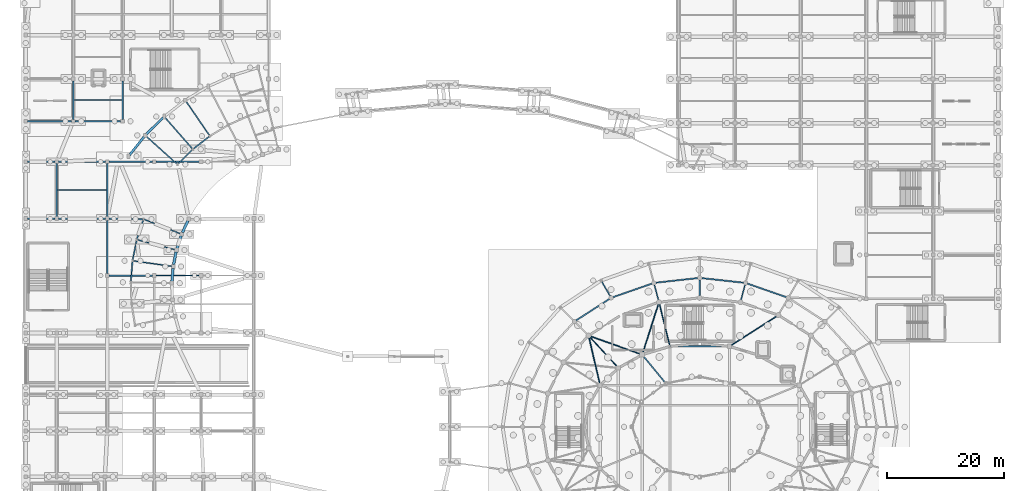
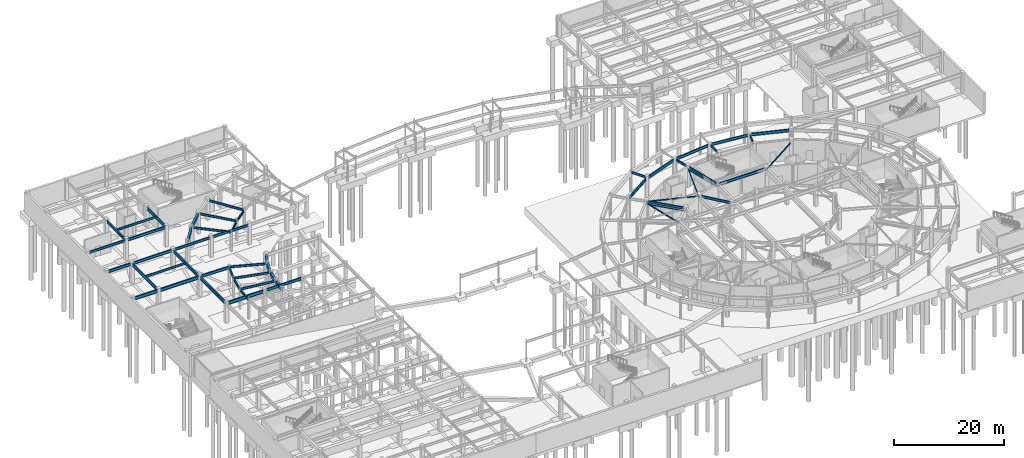
# One storey, part 30 of 68: 48 beams, 6 members.
"""IFC4 building model written with IfcOpenShell, lengths in metres."""

from ifc_helpers import new_model, si_unit, direction, frame, origin, origin_2d, place, context, subcontext, project, spatial, rectangle, hollow_rectangle, i_section, extrude, material, material_profile, profile_set, type_object, element, save


model = new_model("IFC4")

# Units and contexts
model_context = context("Model", 3, precision=1e-05, world=origin(), true_north=direction((0.0, 1.0)))
body_context = subcontext(model_context, "Body", "Model", "MODEL_VIEW")
ifc_project = project(units=[si_unit("LENGTHUNIT", "METRE"), si_unit("AREAUNIT", "SQUARE_METRE"), si_unit("VOLUMEUNIT", "CUBIC_METRE"), si_unit("PLANEANGLEUNIT", "RADIAN"), si_unit("MASSUNIT", "GRAM", prefix="KILO")], contexts=[model_context])

# Site, building, storey
site_placement = place(None, origin())
site = spatial("IfcSite", under=ifc_project, at=site_placement, CompositionType="ELEMENT")
building_placement = place(site_placement, origin())
building = spatial("IfcBuilding", under=site, at=building_placement, Name="Cinderbank Siding Concert Hall", CompositionType="ELEMENT")
storey_placement = place(building_placement, frame((0.0, 0.0, -4.800048828125)))
storey = spatial("IfcBuildingStorey", under=building, at=storey_placement, Name="B1", CompositionType="ELEMENT", Elevation=-4.800048828125)

# Beams
ifc_material_1 = material(Name="Reinforced concrete AS 3600 N50 (50 MPa)", Category="concrete")
ifc_material_profile_1 = material_profile(ifc_material_1, rectangle(XDim=0.39990234375, YDim=0.64990234375, at=origin_2d()), Name="RC-BM-400x650", Category="LoadBearing")
ifc_profile_set_1 = profile_set([ifc_material_profile_1], Name="Reinforced concrete AS 3600 N50 (50 MPa)")
beam_type_1 = type_object("IfcBeamType", Name="BM-RC650 RC-BM-400x650", PredefinedType="BEAM", material=ifc_profile_set_1)
beam_1_placement = place(storey_placement, frame((30.5517578125, 96.740234375, 4.156982421875), z_axis=(-0.712038390518, -0.702140534671, 0.0), x_axis=(0.702140534671, -0.712038390518, 0.0)))
element("IfcBeam", 1, at=beam_1_placement, inside=storey, type_object=beam_type_1, Name="B1 Beam BM-RC650 #875", PredefinedType="BEAM", context=body_context, shape_type="SweptSolid", body=[
    extrude(rectangle(XDim=0.39990234375, YDim=0.64990234375, at=origin_2d()), origin(), (0.0, 0.0, 1.0), 4.0205078125),
])
beam_2_placement = place(storey_placement, frame((27.265380859375, 93.447021484375, 4.156982421875), z_axis=(-0.623850508512, -0.781543692336, 0.0), x_axis=(0.781543692336, -0.623850508512, 0.0)))
element("IfcBeam", 2, at=beam_2_placement, inside=storey, type_object=beam_type_1, Name="B1 Beam BM-RC650 #877", PredefinedType="BEAM", context=body_context, shape_type="SweptSolid", body=[
    extrude(rectangle(XDim=0.39990234375, YDim=0.64990234375, at=origin_2d()), origin(), (0.0, 0.0, 1.0), 4.020751953125),
])
ifc_material_profile_2 = material_profile(ifc_material_1, rectangle(XDim=0.449951171875, YDim=0.75, at=origin_2d()), Name="RC-BM-450x750", Category="LoadBearing")
ifc_profile_set_2 = profile_set([ifc_material_profile_2], Name="Reinforced concrete AS 3600 N50 (50 MPa)")
beam_type_2 = type_object("IfcBeamType", Name="BM-RC750 RC-BM-450x750", PredefinedType="BEAM", material=ifc_profile_set_2)
for number, where, z_axis, x_axis, name in (
    (3, (34.75439453125, 79.127685546875, 4.10693359375), (-0.422595503754, -0.906318398912, 0.0), (0.906318398912, -0.422595503754, 0.0), "B1 Beam BM-RC750 #878"),
    (4, (33.58642578125, 76.533935546875, 4.10693359375), (-0.312352446311, -0.949966288498, 0.0), (0.949966288498, -0.312352446311, 0.0), "B1 Beam BM-RC750 #880"),
):
    element("IfcBeam", number, at=place(storey_placement, frame(where, z_axis=z_axis, x_axis=x_axis)), inside=storey, type_object=beam_type_2, Name=name, PredefinedType="BEAM", context=body_context, shape_type="SweptSolid", body=[
        extrude(rectangle(XDim=0.449951171875, YDim=0.75, at=origin_2d()), origin(), (0.0, 0.0, 1.0), 2.212646484375),
    ])
beam_3_placement = place(storey_placement, frame((32.7333984375, 73.820068359375, 4.10693359375), z_axis=(-0.197495096869, -0.98030387468, 0.0), x_axis=(0.98030387468, -0.197495096869, 0.0)))
element("IfcBeam", 5, at=beam_3_placement, inside=storey, type_object=beam_type_2, Name="B1 Beam BM-RC750 #883", PredefinedType="BEAM", context=body_context, shape_type="SweptSolid", body=[
    extrude(rectangle(XDim=0.449951171875, YDim=0.75, at=origin_2d()), origin(), (0.0, 0.0, 1.0), 2.212890625),
])
beam_4_placement = place(storey_placement, frame((32.208251953125, 71.024169921875, 4.10693359375), z_axis=(-0.080214449462, -0.996777629212, 0.0), x_axis=(0.996777629212, -0.080214449462, 0.0)))
element("IfcBeam", 6, at=beam_4_placement, inside=storey, type_object=beam_type_2, Name="B1 Beam BM-RC750 #886", PredefinedType="BEAM", context=body_context, shape_type="SweptSolid", body=[
    extrude(rectangle(XDim=0.449951171875, YDim=0.75, at=origin_2d()), origin(), (0.0, 0.0, 1.0), 2.212646484375),
])
ifc_material_2 = material(Name="Structural steel AS/NZS 3679.1 Grade 350 (340 MPa)", Category="steel")
ifc_material_profile_3 = material_profile(ifc_material_2, i_section(OverallWidth=0.18994140625, OverallDepth=0.45751953125, WebThickness=0.009033203125, FlangeThickness=0.014404296875, at=origin_2d()), Name="460UB74.6", Category="LoadBearing")
ifc_profile_set_3 = profile_set([ifc_material_profile_3], Name="Structural steel AS/NZS 3679.1 Grade 350 (340 MPa)")
beam_type_3 = type_object("IfcBeamType", Name="BM-UB460 460UB74.6", PredefinedType="BEAM", material=ifc_profile_set_3)
beam_5_placement = place(storey_placement, frame((38.40380859375, 93.698486328125, 4.25341796875), z_axis=(-0.564955120816, 0.825121634345, 0.0), x_axis=(-0.825121634345, -0.564955120816, 0.0)))
element("IfcBeam", 7, at=beam_5_placement, inside=storey, type_object=beam_type_3, Name="B1 Beam BM-UB460 #870", PredefinedType="BEAM", context=body_context, shape_type="SweptSolid", body=[
    extrude(i_section(OverallWidth=0.18994140625, OverallDepth=0.45751953125, WebThickness=0.009033203125, FlangeThickness=0.014404296875, at=origin_2d()), origin(), (0.0, 0.0, 1.0), 6.9375),
])
beam_6_placement = place(storey_placement, frame((35.4833984375, 91.435791015625, 4.25341796875), z_axis=(-0.65868883968, 0.752415452048, 0.0), x_axis=(-0.752415452048, -0.65868883968, 0.0)))
element("IfcBeam", 8, at=beam_6_placement, inside=storey, type_object=beam_type_3, Name="B1 Beam BM-UB460 #873", PredefinedType="BEAM", context=body_context, shape_type="SweptSolid", body=[
    extrude(i_section(OverallWidth=0.18994140625, OverallDepth=0.45751953125, WebThickness=0.009033203125, FlangeThickness=0.014404296875, at=origin_2d()), origin(), (0.0, 0.0, 1.0), 7.03564453125),
])
beam_7_placement = place(storey_placement, frame((32.8544921875, 88.84033203125, 4.25341796875), z_axis=(-0.743157645218, 0.66911636832, 0.0), x_axis=(-0.66911636832, -0.743157645218, 0.0)))
element("IfcBeam", 9, at=beam_7_placement, inside=storey, type_object=beam_type_3, Name="B1 Beam BM-UB460 #876", PredefinedType="BEAM", context=body_context, shape_type="SweptSolid", body=[
    extrude(i_section(OverallWidth=0.18994140625, OverallDepth=0.45751953125, WebThickness=0.009033203125, FlangeThickness=0.014404296875, at=origin_2d()), origin(), (0.0, 0.0, 1.0), 6.937744140625),
])
beam_8_placement = place(storey_placement, frame((33.390625, 76.95166015625, 4.25341796875), z_axis=(-0.929771987025, 0.368135915313, 0.0), x_axis=(-0.368135915313, -0.929771987025, 0.0)))
element("IfcBeam", 10, at=beam_8_placement, inside=storey, type_object=beam_type_3, Name="B1 Beam BM-UB460 #879", PredefinedType="BEAM", context=body_context, shape_type="SweptSolid", body=[
    extrude(i_section(OverallWidth=0.18994140625, OverallDepth=0.45751953125, WebThickness=0.009033203125, FlangeThickness=0.014404296875, at=origin_2d()), origin(), (0.0, 0.0, 1.0), 6.53564453125),
])
beam_9_placement = place(storey_placement, frame((32.48974609375, 74.211669921875, 4.25341796875), z_axis=(-0.966824945922, 0.255439863653, 0.0), x_axis=(-0.255439863653, -0.966824945922, 0.0)))
element("IfcBeam", 11, at=beam_9_placement, inside=storey, type_object=beam_type_3, Name="B1 Beam BM-UB460 #882", PredefinedType="BEAM", context=body_context, shape_type="SweptSolid", body=[
    extrude(i_section(OverallWidth=0.18994140625, OverallDepth=0.45751953125, WebThickness=0.009033203125, FlangeThickness=0.014404296875, at=origin_2d()), origin(), (0.0, 0.0, 1.0), 6.537353515625),
])
beam_10_placement = place(storey_placement, frame((31.919677734375, 71.38427734375, 4.25341796875), z_axis=(-0.990265993787, 0.139187864229, 0.0), x_axis=(-0.139187864229, -0.990265993787, 0.0)))
element("IfcBeam", 12, at=beam_10_placement, inside=storey, type_object=beam_type_3, Name="B1 Beam BM-UB460 #885", PredefinedType="BEAM", context=body_context, shape_type="SweptSolid", body=[
    extrude(i_section(OverallWidth=0.18994140625, OverallDepth=0.45751953125, WebThickness=0.009033203125, FlangeThickness=0.014404296875, at=origin_2d()), origin(), (0.0, 0.0, 1.0), 6.53564453125),
])
ifc_material_profile_4 = material_profile(ifc_material_2, i_section(OverallWidth=0.19091796875, OverallDepth=0.46044921875, WebThickness=0.010009765625, FlangeThickness=0.01611328125, at=origin_2d()), Name="460UB82.1", Category="LoadBearing")
ifc_profile_set_4 = profile_set([ifc_material_profile_4], Name="Structural steel AS/NZS 3679.1 Grade 350 (340 MPa)")
beam_type_4 = type_object("IfcBeamType", Name="BM-UB460H 460UB82.1", PredefinedType="BEAM", material=ifc_profile_set_4)
beam_11_placement = place(storey_placement, frame((129.044189453125, 65.6533203125, 4.251953125), z_axis=(0.258818505844, 0.965925970783, 0.0), x_axis=(-0.965925970783, 0.258818505844, 0.0)))
element("IfcBeam", 13, at=beam_11_placement, inside=storey, type_object=beam_type_4, Name="B1 Beam BM-UB460H #291", PredefinedType="BEAM", context=body_context, shape_type="SweptSolid", body=[
    extrude(i_section(OverallWidth=0.19091796875, OverallDepth=0.46044921875, WebThickness=0.010009765625, FlangeThickness=0.01611328125, at=origin_2d()), origin(), (0.0, 0.0, 1.0), 2.61572265625),
])
beam_12_placement = place(storey_placement, frame((122.0, 66.4169921875, 4.251953125), z_axis=(0.0, 1.0, 0.0), x_axis=(-1.0, 0.0, 0.0)))
element("IfcBeam", 14, at=beam_12_placement, inside=storey, type_object=beam_type_4, Name="B1 Beam BM-UB460H #292", PredefinedType="BEAM", context=body_context, shape_type="SweptSolid", body=[
    extrude(i_section(OverallWidth=0.19091796875, OverallDepth=0.46044921875, WebThickness=0.010009765625, FlangeThickness=0.01611328125, at=origin_2d()), origin(), (0.0, 0.0, 1.0), 2.615966796875),
])
beam_13_placement = place(storey_placement, frame((114.955810546875, 65.6533203125, 4.251953125), z_axis=(-0.258818505844, 0.965925970783, 0.0), x_axis=(-0.965925970783, -0.258818505844, 0.0)))
element("IfcBeam", 15, at=beam_13_placement, inside=storey, type_object=beam_type_4, Name="B1 Beam BM-UB460H #293", PredefinedType="BEAM", context=body_context, shape_type="SweptSolid", body=[
    extrude(i_section(OverallWidth=0.19091796875, OverallDepth=0.46044921875, WebThickness=0.010009765625, FlangeThickness=0.01611328125, at=origin_2d()), origin(), (0.0, 0.0, 1.0), 2.61572265625),
])
beam_14_placement = place(storey_placement, frame((106.716552734375, 66.314697265625, 4.291748046875), z_axis=(-0.499988053408, 0.866032301043, 0.0), x_axis=(-0.866032301043, -0.499988053408, 0.0)))
element("IfcBeam", 16, at=beam_14_placement, inside=storey, type_object=beam_type_4, Name="B1 Beam BM-UB460H #317", PredefinedType="BEAM", context=body_context, shape_type="SweptSolid", body=[
    extrude(i_section(OverallWidth=0.19091796875, OverallDepth=0.46044921875, WebThickness=0.010009765625, FlangeThickness=0.01611328125, at=origin_2d()), origin(), (0.0, 0.0, 1.0), 2.837890625),
])
ifc_material_profile_5 = material_profile(ifc_material_2, i_section(OverallWidth=0.208984375, OverallDepth=0.5283203125, WebThickness=0.009521484375, FlangeThickness=0.01318359375, at=origin_2d()), Name="530UB82.0", Category="LoadBearing")
ifc_profile_set_5 = profile_set([ifc_material_profile_5], Name="Structural steel AS/NZS 3679.1 Grade 350 (340 MPa)")
beam_type_5 = type_object("IfcBeamType", Name="BM-UB530 530UB82.0", PredefinedType="BEAM", material=ifc_profile_set_5)
beam_15_placement = place(storey_placement, frame((116.03955078125, 51.6298828125, 4.218017578125), z_axis=(-0.635272208626, 0.772288301703, 0.0), x_axis=(-0.772288301703, -0.635272208626, 0.0)))
element("IfcBeam", 17, at=beam_15_placement, inside=storey, type_object=beam_type_5, Name="B1 Beam BM-UB530 #136", PredefinedType="BEAM", context=body_context, shape_type="SweptSolid", body=[
    extrude(i_section(OverallWidth=0.208984375, OverallDepth=0.5283203125, WebThickness=0.009521484375, FlangeThickness=0.01318359375, at=origin_2d()), origin(), (0.0, 0.0, 1.0), 5.626953125),
])
beam_16_placement = place(storey_placement, frame((38.37109375, 93.4892578125, 4.218017578125), z_axis=(-0.790190567533, -0.612861213475, 0.0), x_axis=(0.612861213475, -0.790190567533, 0.0)))
element("IfcBeam", 18, at=beam_16_placement, inside=storey, type_object=beam_type_5, Name="B1 Beam BM-UB530 #871", PredefinedType="BEAM", context=body_context, shape_type="SweptSolid", body=[
    extrude(i_section(OverallWidth=0.208984375, OverallDepth=0.5283203125, WebThickness=0.009521484375, FlangeThickness=0.01318359375, at=origin_2d()), origin(), (0.0, 0.0, 1.0), 3.384033203125),
])
beam_17_placement = place(storey_placement, frame((35.4755859375, 91.22119140625, 4.218017578125), z_axis=(-0.712031669156, -0.702147350717, 0.0), x_axis=(0.702147350717, -0.712031669156, 0.0)))
element("IfcBeam", 19, at=beam_17_placement, inside=storey, type_object=beam_type_5, Name="B1 Beam BM-UB530 #874", PredefinedType="BEAM", context=body_context, shape_type="SweptSolid", body=[
    extrude(i_section(OverallWidth=0.208984375, OverallDepth=0.5283203125, WebThickness=0.009521484375, FlangeThickness=0.01318359375, at=origin_2d()), origin(), (0.0, 0.0, 1.0), 3.3837890625),
])
for number, where, z_axis, x_axis, name in (
    (20, (27.130859375, 79.271728515625, 4.218017578125), (-0.312307696968, -0.949981001081, 0.0), (0.949981001081, -0.312307696968, 0.0), "B1 Beam BM-UB530 #881"),
    (21, (25.999755859375, 75.776123046875, 4.218017578125), (-0.197683701582, -0.980265858902, 0.0), (0.980265858902, -0.197683701582, 0.0), "B1 Beam BM-UB530 #884"),
):
    element("IfcBeam", number, at=place(storey_placement, frame(where, z_axis=z_axis, x_axis=x_axis)), inside=storey, type_object=beam_type_5, Name=name, PredefinedType="BEAM", context=body_context, shape_type="SweptSolid", body=[
        extrude(i_section(OverallWidth=0.208984375, OverallDepth=0.5283203125, WebThickness=0.009521484375, FlangeThickness=0.01318359375, at=origin_2d()), origin(), (0.0, 0.0, 1.0), 3.384033203125),
    ])
beam_18_placement = place(storey_placement, frame((25.289794921875, 72.16748046875, 4.218017578125), z_axis=(-0.080149507844, -0.996782853179, 0.0), x_axis=(0.996782853179, -0.080149507844, 0.0)))
element("IfcBeam", 22, at=beam_18_placement, inside=storey, type_object=beam_type_5, Name="B1 Beam BM-UB530 #887", PredefinedType="BEAM", context=body_context, shape_type="SweptSolid", body=[
    extrude(i_section(OverallWidth=0.208984375, OverallDepth=0.5283203125, WebThickness=0.009521484375, FlangeThickness=0.01318359375, at=origin_2d()), origin(), (0.0, 0.0, 1.0), 3.38427734375),
])
beam_19_placement = place(storey_placement, frame((7.4169921875, 96.10009765625, 4.258056640625), z_axis=(1.0, 0.0, 0.0), x_axis=(0.0, 1.0, 0.0)))
element("IfcBeam", 23, at=beam_19_placement, inside=storey, type_object=beam_type_5, Name="B1 Beam BM-UB530 #1139", PredefinedType="BEAM", context=body_context, shape_type="SweptSolid", body=[
    extrude(i_section(OverallWidth=0.208984375, OverallDepth=0.5283203125, WebThickness=0.009521484375, FlangeThickness=0.01318359375, at=origin_2d()), origin(), (0.0, 0.0, 1.0), 7.466064453125),
])
for number, where, z_axis, x_axis, name in (
    (24, (21.31689453125, 89.199951171875, 4.218017578125), (1.0, 0.0, 0.0), (0.0, 1.0, 0.0), "B1 Beam BM-UB530 #1206"),
    (25, (29.31689453125, 89.199951171875, 4.218017578125), (1.0, 0.0, 0.0), (0.0, 1.0, 0.0), "B1 Beam BM-UB530 #1213"),
):
    element("IfcBeam", number, at=place(storey_placement, frame(where, z_axis=z_axis, x_axis=x_axis)), inside=storey, type_object=beam_type_5, Name=name, PredefinedType="BEAM", context=body_context, shape_type="SweptSolid", body=[
        extrude(i_section(OverallWidth=0.208984375, OverallDepth=0.5283203125, WebThickness=0.009521484375, FlangeThickness=0.01318359375, at=origin_2d()), origin(), (0.0, 0.0, 1.0), 7.3662109375),
    ])
ifc_material_profile_6 = material_profile(ifc_material_2, i_section(OverallWidth=0.208984375, OverallDepth=0.532958984375, WebThickness=0.01025390625, FlangeThickness=0.015625, at=origin_2d()), Name="530UB92.4", Category="LoadBearing")
ifc_profile_set_6 = profile_set([ifc_material_profile_6], Name="Structural steel AS/NZS 3679.1 Grade 350 (340 MPa)")
beam_type_6 = type_object("IfcBeamType", Name="BM-UB530H 530UB92.4", PredefinedType="BEAM", material=ifc_profile_set_6)
beam_20_placement = place(storey_placement, frame((116.881103515625, 57.902587890625, 4.235595703125), z_axis=(-0.240101280931, 0.970747843106, 0.0), x_axis=(-0.970747843106, -0.240101280931, 0.0)))
element("IfcBeam", 26, at=beam_20_placement, inside=storey, type_object=beam_type_6, Name="B1 Beam BM-UB530H #275", PredefinedType="BEAM", context=body_context, shape_type="SweptSolid", body=[
    extrude(i_section(OverallWidth=0.208984375, OverallDepth=0.532958984375, WebThickness=0.01025390625, FlangeThickness=0.015625, at=origin_2d()), origin(), (0.0, 0.0, 1.0), 7.15234375),
])
beam_21_placement = place(storey_placement, frame((107.891845703125, 54.310546875, 4.235595703125), z_axis=(-0.678286136471, 0.734797874977, 0.0), x_axis=(-0.734797874977, -0.678286136471, 0.0)))
element("IfcBeam", 27, at=beam_21_placement, inside=storey, type_object=beam_type_6, Name="B1 Beam BM-UB530H #276", PredefinedType="BEAM", context=body_context, shape_type="SweptSolid", body=[
    extrude(i_section(OverallWidth=0.208984375, OverallDepth=0.532958984375, WebThickness=0.01025390625, FlangeThickness=0.015625, at=origin_2d()), origin(), (0.0, 0.0, 1.0), 6.72216796875),
])
ifc_material_profile_7 = material_profile(ifc_material_2, i_section(OverallWidth=0.22802734375, OverallDepth=0.602294921875, WebThickness=0.010498046875, FlangeThickness=0.014892578125, at=origin_2d()), Name="610UB101", Category="LoadBearing")
ifc_profile_set_7 = profile_set([ifc_material_profile_7], Name="Structural steel AS/NZS 3679.1 Grade 350 (340 MPa)")
beam_type_7 = type_object("IfcBeamType", Name="BM-UB610 610UB101", PredefinedType="BEAM", material=ifc_profile_set_7)
beam_22_placement = place(storey_placement, frame((15.51708984375, 96.10009765625, 4.220947265625), z_axis=(1.0, 0.0, 0.0), x_axis=(0.0, 1.0, 0.0)))
element("IfcBeam", 28, at=beam_22_placement, inside=storey, type_object=beam_type_7, Name="B1 Beam BM-UB610 #1142", PredefinedType="BEAM", context=body_context, shape_type="SweptSolid", body=[
    extrude(i_section(OverallWidth=0.22802734375, OverallDepth=0.602294921875, WebThickness=0.010498046875, FlangeThickness=0.014892578125, at=origin_2d()), origin(), (0.0, 0.0, 1.0), 7.765869140625),
])
beam_23_placement = place(storey_placement, frame((15.199951171875, 96.4169921875, 4.220947265625), z_axis=(0.0, 1.0, 0.0), x_axis=(-1.0, 0.0, 0.0)))
element("IfcBeam", 29, at=beam_23_placement, inside=storey, type_object=beam_type_7, Name="B1 Beam BM-UB610 #1143", PredefinedType="BEAM", context=body_context, shape_type="SweptSolid", body=[
    extrude(i_section(OverallWidth=0.22802734375, OverallDepth=0.602294921875, WebThickness=0.010498046875, FlangeThickness=0.014892578125, at=origin_2d()), origin(), (0.0, 0.0, 1.0), 6.56591796875),
])
beam_24_placement = place(storey_placement, frame((7.4169921875, 89.199951171875, 4.200927734375), z_axis=(1.0, 0.0, 0.0), x_axis=(0.0, 1.0, 0.0)))
element("IfcBeam", 30, at=beam_24_placement, inside=storey, type_object=beam_type_7, Name="B1 Beam BM-UB610 #1189", PredefinedType="BEAM", context=body_context, shape_type="SweptSolid", body=[
    extrude(i_section(OverallWidth=0.22802734375, OverallDepth=0.602294921875, WebThickness=0.010498046875, FlangeThickness=0.014892578125, at=origin_2d()), origin(), (0.0, 0.0, 1.0), 4.666015625),
])
beam_25_placement = place(storey_placement, frame((12.717041015625, 89.199951171875, 4.200927734375), z_axis=(1.0, 0.0, 0.0), x_axis=(0.0, 1.0, 0.0)))
element("IfcBeam", 31, at=beam_25_placement, inside=storey, type_object=beam_type_7, Name="B1 Beam BM-UB610 #1196", PredefinedType="BEAM", context=body_context, shape_type="SweptSolid", body=[
    extrude(i_section(OverallWidth=0.22802734375, OverallDepth=0.602294921875, WebThickness=0.010498046875, FlangeThickness=0.014892578125, at=origin_2d()), origin(), (0.0, 0.0, 1.0), 7.966064453125),
])
beam_26_placement = place(storey_placement, frame((21.31689453125, 79.49560546875, 4.180908203125), z_axis=(0.999898140396, -0.014272660323, 0.0), x_axis=(0.014272660323, 0.999898140396, 0.0)))
element("IfcBeam", 32, at=beam_26_placement, inside=storey, type_object=beam_type_7, Name="B1 Beam BM-UB610 #1204", PredefinedType="BEAM", context=body_context, shape_type="SweptSolid", body=[
    extrude(i_section(OverallWidth=0.22802734375, OverallDepth=0.602294921875, WebThickness=0.010498046875, FlangeThickness=0.014892578125, at=origin_2d()), origin(), (0.0, 0.0, 1.0), 5.713134765625),
])
beam_27_placement = place(storey_placement, frame((29.31689453125, 69.800048828125, 4.180908203125), z_axis=(1.0, 0.0, 0.0), x_axis=(0.0, 1.0, 0.0)))
element("IfcBeam", 33, at=beam_27_placement, inside=storey, type_object=beam_type_7, Name="B1 Beam BM-UB610 #1212", PredefinedType="BEAM", context=body_context, shape_type="SweptSolid", body=[
    extrude(i_section(OverallWidth=0.22802734375, OverallDepth=0.602294921875, WebThickness=0.010498046875, FlangeThickness=0.014892578125, at=origin_2d()), origin(), (0.0, 0.0, 1.0), 7.3662109375),
])
ifc_material_profile_8 = material_profile(ifc_material_2, i_section(OverallWidth=0.22900390625, OverallDepth=0.611572265625, WebThickness=0.011962890625, FlangeThickness=0.01953125, at=origin_2d()), Name="610UB125", Category="LoadBearing")
ifc_profile_set_8 = profile_set([ifc_material_profile_8], Name="Structural steel AS/NZS 3679.1 Grade 350 (340 MPa)")
beam_type_8 = type_object("IfcBeamType", Name="BM-UB610H 610UB125", PredefinedType="BEAM", material=ifc_profile_set_8)
beam_28_placement = place(storey_placement, frame((126.705810546875, 57.716064453125, 4.17626953125), z_axis=(-1.0, 0.0, 0.0), x_axis=(0.0, -1.0, 0.0)))
element("IfcBeam", 34, at=beam_28_placement, inside=storey, type_object=beam_type_8, Name="B1 Beam BM-UB610H #113", PredefinedType="BEAM", context=body_context, shape_type="SweptSolid", body=[
    extrude(i_section(OverallWidth=0.22900390625, OverallDepth=0.611572265625, WebThickness=0.011962890625, FlangeThickness=0.01953125, at=origin_2d()), origin(), (0.0, 0.0, 1.0), 9.586669921875),
])
ifc_material_profile_9 = material_profile(ifc_material_2, i_section(OverallWidth=0.22802734375, OverallDepth=0.60693359375, WebThickness=0.01123046875, FlangeThickness=0.017333984375, at=origin_2d()), Name="610UB113", Category="LoadBearing")
ifc_profile_set_9 = profile_set([ifc_material_profile_9], Name="Structural steel AS/NZS 3679.1 Grade 350 (340 MPa)")
beam_type_9 = type_object("IfcBeamType", Name="BM-UB610M 610UB113", PredefinedType="BEAM", material=ifc_profile_set_9)
beam_29_placement = place(storey_placement, frame((136.75341796875, 66.11767578125, 4.178466796875), z_axis=(-0.944329139602, 0.329002243303, 0.0), x_axis=(-0.329002243303, -0.944329139602, 0.0)))
element("IfcBeam", 35, at=beam_29_placement, inside=storey, type_object=beam_type_9, Name="B1 Beam BM-UB610M #230", PredefinedType="BEAM", context=body_context, shape_type="SweptSolid", body=[
    extrude(i_section(OverallWidth=0.22802734375, OverallDepth=0.60693359375, WebThickness=0.01123046875, FlangeThickness=0.017333984375, at=origin_2d()), origin(), (0.0, 0.0, 1.0), 6.97900390625),
])
for number, where, z_axis, x_axis, name in (
    (36, (129.451416015625, 68.574951171875, 4.178466796875), (-0.993925837604, 0.1100519393, 0.0), (-0.1100519393, -0.993925837604, 0.0), "B1 Beam BM-UB610M #231"),
    (37, (121.63525390625, 69.359619140625, 4.178466796875), (-0.993925837604, -0.1100519393, 0.0), (0.1100519393, -0.993925837604, 0.0), "B1 Beam BM-UB610M #232"),
):
    element("IfcBeam", number, at=place(storey_placement, frame(where, z_axis=z_axis, x_axis=x_axis)), inside=storey, type_object=beam_type_9, Name=name, PredefinedType="BEAM", context=body_context, shape_type="SweptSolid", body=[
        extrude(i_section(OverallWidth=0.22802734375, OverallDepth=0.60693359375, WebThickness=0.01123046875, FlangeThickness=0.017333984375, at=origin_2d()), origin(), (0.0, 0.0, 1.0), 7.1298828125),
    ])
beam_30_placement = place(storey_placement, frame((113.837158203125, 68.413818359375, 4.178466796875), z_axis=(-0.944329139602, -0.329002243303, 0.0), x_axis=(0.329002243303, -0.944329139602, 0.0)))
element("IfcBeam", 38, at=beam_30_placement, inside=storey, type_object=beam_type_9, Name="B1 Beam BM-UB610M #233", PredefinedType="BEAM", context=body_context, shape_type="SweptSolid", body=[
    extrude(i_section(OverallWidth=0.22802734375, OverallDepth=0.60693359375, WebThickness=0.01123046875, FlangeThickness=0.017333984375, at=origin_2d()), origin(), (0.0, 0.0, 1.0), 6.97900390625),
])
beam_31_placement = place(storey_placement, frame((106.591552734375, 65.798095703125, 4.178466796875), z_axis=(-0.840198253685, -0.542279350984, 0.0), x_axis=(0.542279350984, -0.840198253685, 0.0)))
element("IfcBeam", 39, at=beam_31_placement, inside=storey, type_object=beam_type_9, Name="B1 Beam BM-UB610M #234", PredefinedType="BEAM", context=body_context, shape_type="SweptSolid", body=[
    extrude(i_section(OverallWidth=0.22802734375, OverallDepth=0.60693359375, WebThickness=0.01123046875, FlangeThickness=0.017333984375, at=origin_2d()), origin(), (0.0, 0.0, 1.0), 6.7099609375),
])
ifc_material_3 = material(Name="Structural steel welded plate section AS/NZS 3679.2 / AS/NZS 3678 Grade 350 (340 MPa)", Category="steel")
ifc_material_profile_10 = material_profile(ifc_material_3, i_section(OverallWidth=0.25, OverallDepth=0.699951171875, WebThickness=0.010009765625, FlangeThickness=0.01611328125, at=origin_2d()), Name="700WB130", Category="LoadBearing")
ifc_profile_set_10 = profile_set([ifc_material_profile_10], Name="Structural steel welded plate section AS/NZS 3679.2 / AS/NZS 3678 Grade 350 (340 MPa)")
beam_type_10 = type_object("IfcBeamType", Name="BM-WB700 700WB130", PredefinedType="BEAM", material=ifc_profile_set_10)
beam_32_placement = place(storey_placement, frame((23.60009765625, 96.4169921875, 4.172119140625), z_axis=(0.0, 1.0, 0.0), x_axis=(-1.0, 0.0, 0.0)))
element("IfcBeam", 40, at=beam_32_placement, inside=storey, type_object=beam_type_10, Name="B1 Beam BM-WB700 #1147", PredefinedType="BEAM", context=body_context, shape_type="SweptSolid", body=[
    extrude(i_section(OverallWidth=0.25, OverallDepth=0.699951171875, WebThickness=0.010009765625, FlangeThickness=0.01611328125, at=origin_2d()), origin(), (0.0, 0.0, 1.0), 6.56591796875),
])
beam_33_placement = place(storey_placement, frame((7.4169921875, 79.5, 4.152099609375), z_axis=(1.0, 0.0, 0.0), x_axis=(0.0, 1.0, 0.0)))
element("IfcBeam", 41, at=beam_33_placement, inside=storey, type_object=beam_type_10, Name="B1 Beam BM-WB700 #1188", PredefinedType="BEAM", context=body_context, shape_type="SweptSolid", body=[
    extrude(i_section(OverallWidth=0.25, OverallDepth=0.699951171875, WebThickness=0.010009765625, FlangeThickness=0.01611328125, at=origin_2d()), origin(), (0.0, 0.0, 1.0), 4.666015625),
])
beam_34_placement = place(storey_placement, frame((12.717041015625, 79.5, 4.132080078125), z_axis=(1.0, 0.0, 0.0), x_axis=(0.0, 1.0, 0.0)))
element("IfcBeam", 42, at=beam_34_placement, inside=storey, type_object=beam_type_10, Name="B1 Beam BM-WB700 #1194", PredefinedType="BEAM", context=body_context, shape_type="SweptSolid", body=[
    extrude(i_section(OverallWidth=0.25, OverallDepth=0.699951171875, WebThickness=0.010009765625, FlangeThickness=0.01611328125, at=origin_2d()), origin(), (0.0, 0.0, 1.0), 7.966064453125),
])
beam_35_placement = place(storey_placement, frame((12.39990234375, 79.81689453125, 4.152099609375), z_axis=(0.0, 1.0, 0.0), x_axis=(-1.0, 0.0, 0.0)))
element("IfcBeam", 43, at=beam_35_placement, inside=storey, type_object=beam_type_10, Name="B1 Beam BM-WB700 #1195", PredefinedType="BEAM", context=body_context, shape_type="SweptSolid", body=[
    extrude(i_section(OverallWidth=0.25, OverallDepth=0.699951171875, WebThickness=0.010009765625, FlangeThickness=0.01611328125, at=origin_2d()), origin(), (0.0, 0.0, 1.0), 9.066162109375),
])
beam_36_placement = place(storey_placement, frame((21.31689453125, 69.800048828125, 4.132080078125), z_axis=(1.0, 0.0, 0.0), x_axis=(0.0, 1.0, 0.0)))
element("IfcBeam", 44, at=beam_36_placement, inside=storey, type_object=beam_type_10, Name="B1 Beam BM-WB700 #1202", PredefinedType="BEAM", context=body_context, shape_type="SweptSolid", body=[
    extrude(i_section(OverallWidth=0.25, OverallDepth=0.699951171875, WebThickness=0.010009765625, FlangeThickness=0.01611328125, at=origin_2d()), origin(), (0.0, 0.0, 1.0), 7.3662109375),
])
for number, where, z_axis, x_axis, name in (
    (45, (21.0, 70.116943359375, 4.132080078125), (0.0, 1.0, 0.0), (-1.0, 0.0, 0.0), "B1 Beam BM-WB700 #1203"),
    (46, (21.0, 79.81689453125, 4.132080078125), (0.0, 1.0, 0.0), (-1.0, 0.0, 0.0), "B1 Beam BM-WB700 #1205"),
):
    element("IfcBeam", number, at=place(storey_placement, frame(where, z_axis=z_axis, x_axis=x_axis)), inside=storey, type_object=beam_type_10, Name=name, PredefinedType="BEAM", context=body_context, shape_type="SweptSolid", body=[
        extrude(i_section(OverallWidth=0.25, OverallDepth=0.699951171875, WebThickness=0.010009765625, FlangeThickness=0.01611328125, at=origin_2d()), origin(), (0.0, 0.0, 1.0), 9.066162109375),
    ])
ifc_material_profile_11 = material_profile(ifc_material_2, i_section(OverallWidth=0.18994140625, OverallDepth=0.453857421875, WebThickness=0.008544921875, FlangeThickness=0.0126953125, at=origin_2d()), Name="460UB67.1", Category="LoadBearing")
ifc_profile_set_11 = profile_set([ifc_material_profile_11], Name="Structural steel AS/NZS 3679.1 Grade 350 (340 MPa)")
beam_type_11 = type_object("IfcBeamType", Name="JS-UB460 460UB67.1", PredefinedType="JOIST", material=ifc_profile_set_11)
beam_37_placement = place(storey_placement, frame((15.305908203125, 99.699951171875, 4.295166015625), z_axis=(1.0, 0.0, 0.0), x_axis=(0.0, 1.0, 0.0)))
element("IfcBeam", 47, at=beam_37_placement, inside=storey, type_object=beam_type_11, Name="B1 Beam JS-UB460 #1256", PredefinedType="JOIST", context=body_context, shape_type="SweptSolid", body=[
    extrude(i_section(OverallWidth=0.18994140625, OverallDepth=0.453857421875, WebThickness=0.008544921875, FlangeThickness=0.0126953125, at=origin_2d()), origin(), (0.0, 0.0, 1.0), 8.177001953125),
])
beam_38_placement = place(storey_placement, frame((12.51708984375, 84.35009765625, 4.275146484375), z_axis=(1.0, 0.0, 0.0), x_axis=(0.0, 1.0, 0.0)))
element("IfcBeam", 48, at=beam_38_placement, inside=storey, type_object=beam_type_11, Name="B1 Beam JS-UB460 #1267", PredefinedType="JOIST", context=body_context, shape_type="SweptSolid", body=[
    extrude(i_section(OverallWidth=0.18994140625, OverallDepth=0.453857421875, WebThickness=0.008544921875, FlangeThickness=0.0126953125, at=origin_2d()), origin(), (0.0, 0.0, 1.0), 8.365966796875),
])

# Members
ifc_material_4 = material(Name="Structural steel hollow section AS/NZS 1163 Grade C350L0 (350 MPa)", Category="steel")
ifc_material_profile_12 = material_profile(ifc_material_4, hollow_rectangle(XDim=0.10009765625, YDim=0.199951171875, WallThickness=0.008056640625, at=origin_2d()), Name="200x100x8.0RHS", Category="LoadBearing")
ifc_profile_set_12 = profile_set([ifc_material_profile_12], Name="Structural steel hollow section AS/NZS 1163 Grade C350L0 (350 MPa)")
member_type_1 = type_object("IfcMemberType", Name="PR-RHS200 200x100x8.0RHS Roof Truss", PredefinedType="PURLIN", material=ifc_profile_set_12)
member_1_placement = place(storey_placement, frame((116.927001953125, 57.716064453125, 3.64013671875), z_axis=(-0.240070192761, 0.970755531814, 0.0), x_axis=(-0.970755531814, -0.240070192761, 0.0)))
element("IfcMember", 49, at=member_1_placement, inside=storey, type_object=member_type_1, Name="B1 Roof Truss Member PR-RHS200 #2154", PredefinedType="PURLIN", context=body_context, shape_type="SweptSolid", body=[
    extrude(hollow_rectangle(XDim=0.10009765625, YDim=0.199951171875, WallThickness=0.008056640625, at=origin_2d()), origin(), (0.0, 0.0, 1.0), 7.761474609375),
])
member_2_placement = place(storey_placement, frame((108.140625, 54.041015625, 3.64013671875), z_axis=(-0.678276049894, 0.734807185689, 0.0), x_axis=(-0.734807185689, -0.678276049894, 0.0)))
element("IfcMember", 50, at=member_2_placement, inside=storey, type_object=member_type_1, Name="B1 Roof Truss Member PR-RHS200 #2158", PredefinedType="PURLIN", context=body_context, shape_type="SweptSolid", body=[
    extrude(hollow_rectangle(XDim=0.10009765625, YDim=0.199951171875, WallThickness=0.008056640625, at=origin_2d()), origin(), (0.0, 0.0, 1.0), 7.505859375),
])
ifc_material_profile_13 = material_profile(ifc_material_4, hollow_rectangle(XDim=0.14990234375, YDim=0.25, WallThickness=0.009033203125, at=origin_2d()), Name="250x150x9.0RHS", Category="LoadBearing")
ifc_profile_set_13 = profile_set([ifc_material_profile_13], Name="Structural steel hollow section AS/NZS 1163 Grade C350L0 (350 MPa)")
member_type_2 = type_object("IfcMemberType", Name="TR-RHS250 250x150x9.0RHS Roof Truss", PredefinedType="RAFTER", material=ifc_profile_set_13)
member_3_placement = place(storey_placement, frame((127.072998046875, 57.716064453125, 3.900146484375), z_axis=(0.841940386591, 0.539570556487, 0.0), x_axis=(-0.539570556487, 0.841940386591, 0.0)))
element("IfcMember", 51, at=member_3_placement, inside=storey, type_object=member_type_2, Name="B1 Roof Truss Member TR-RHS250 #2152", PredefinedType="RAFTER", context=body_context, shape_type="SweptSolid", body=[
    extrude(hollow_rectangle(XDim=0.14990234375, YDim=0.25, WallThickness=0.009033203125, at=origin_2d()), origin(), (0.0, 0.0, 1.0), 9.89013671875),
])
member_4_placement = place(storey_placement, frame((112.199951171875, 56.297607421875, 3.900146484375), z_axis=(0.304664519425, 0.952459726499, 0.0), x_axis=(-0.952459726499, 0.304664519425, 0.0)))
element("IfcMember", 52, at=member_4_placement, inside=storey, type_object=member_type_2, Name="B1 Roof Truss Member TR-RHS250 #2153", PredefinedType="RAFTER", context=body_context, shape_type="SweptSolid", body=[
    extrude(hollow_rectangle(XDim=0.14990234375, YDim=0.25, WallThickness=0.009033203125, at=origin_2d()), origin(), (0.0, 0.0, 1.0), 9.399658203125),
])
member_5_placement = place(storey_placement, frame((112.199951171875, 56.297607421875, 4.179931640625), z_axis=(-0.942041785809, 0.335495564487, 0.0), x_axis=(-0.335495564487, -0.942041785809, 0.0)))
element("IfcMember", 53, at=member_5_placement, inside=storey, type_object=member_type_2, Name="B1 Roof Truss Member TR-RHS250 #2155", PredefinedType="RAFTER", context=body_context, shape_type="SweptSolid", body=[
    extrude(hollow_rectangle(XDim=0.14990234375, YDim=0.25, WallThickness=0.009033203125, at=origin_2d()), origin(), (0.0, 0.0, 1.0), 9.71337890625),
])
member_6_placement = place(storey_placement, frame((105.02587890625, 51.10009765625, 3.900146484375), z_axis=(-0.227577092084, 0.973760066525, 0.0), x_axis=(-0.973760066525, -0.227577092084, 0.0)))
element("IfcMember", 54, at=member_6_placement, inside=storey, type_object=member_type_2, Name="B1 Roof Truss Member TR-RHS250 #2157", PredefinedType="RAFTER", context=body_context, shape_type="SweptSolid", body=[
    extrude(hollow_rectangle(XDim=0.14990234375, YDim=0.25, WallThickness=0.009033203125, at=origin_2d()), origin(), (0.0, 0.0, 1.0), 8.68408203125),
])

save(model, "model.ifc")
